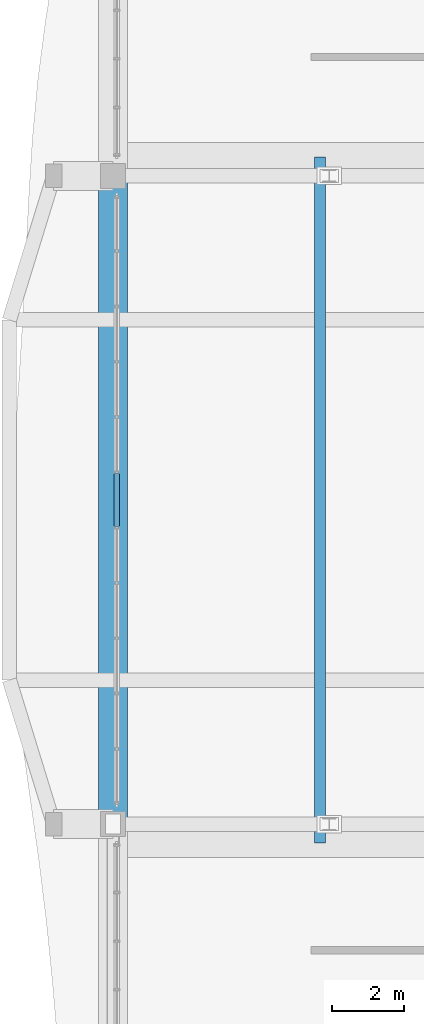
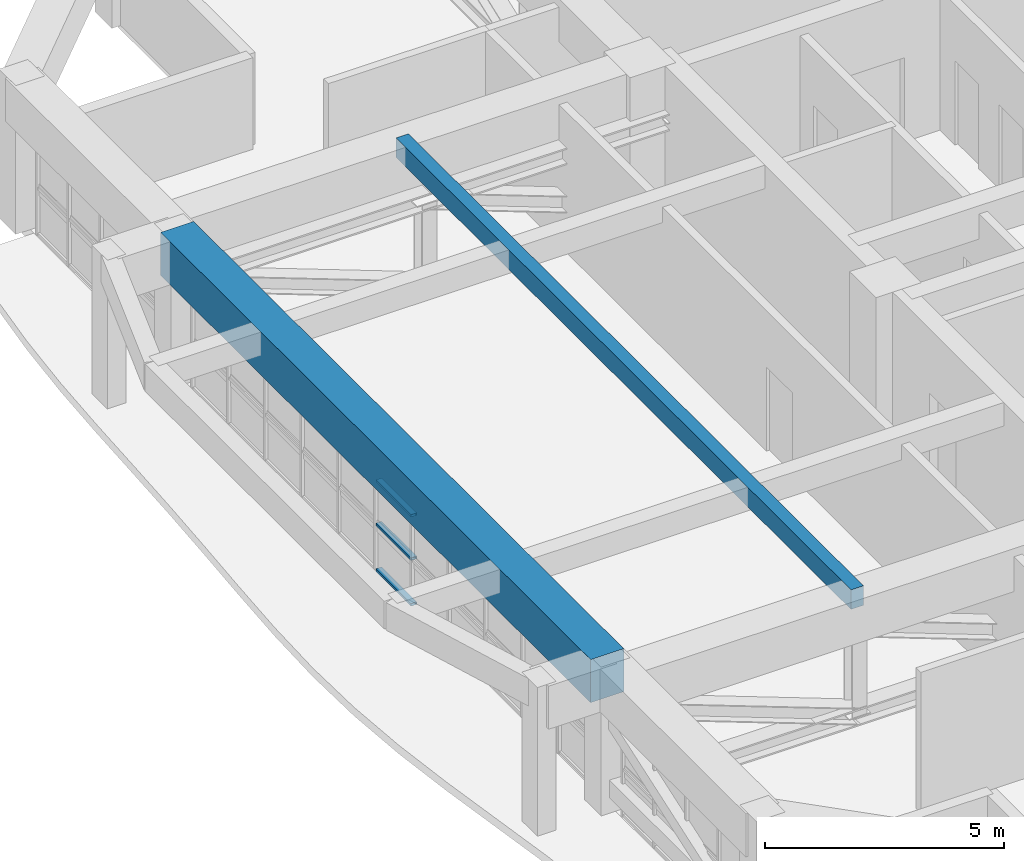
# One storey, part 6 of 25: 3 members, 2 beams, 1 element without a shape of its own.
"""IFC4 building model written with IfcOpenShell, lengths in metres."""

from ifc_helpers import new_model, si_unit, direction, frame, origin, origin_2d, place, context, subcontext, project, spatial, rectangle, hollow_rectangle, extrude, source, transform, mapped, material, layer, layer_set, material_profile, profile_set, type_object, element, aggregate, save


model = new_model("IFC4")

# Units and contexts
model_context = context("Model", 3, precision=1e-05, world=origin(), true_north=direction((0.0, 1.0)))
body_context = subcontext(model_context, "Body", "Model", "MODEL_VIEW")
ifc_project = project(units=[si_unit("LENGTHUNIT", "METRE"), si_unit("AREAUNIT", "SQUARE_METRE"), si_unit("VOLUMEUNIT", "CUBIC_METRE"), si_unit("PLANEANGLEUNIT", "RADIAN"), si_unit("MASSUNIT", "GRAM", prefix="KILO")], contexts=[model_context])

# Site, building, storey
site_placement = place(None, origin())
site = spatial("IfcSite", under=ifc_project, at=site_placement, CompositionType="ELEMENT")
building_placement = place(site_placement, origin())
building = spatial("IfcBuilding", under=site, at=building_placement, Name="Saelheon Loggia Tower", CompositionType="ELEMENT")
storey_placement = place(building_placement, frame((0.0, 0.0, 206.5)))
storey = spatial("IfcBuildingStorey", under=building, at=storey_placement, Name="L64", CompositionType="ELEMENT", Elevation=206.5)

# Beams
ifc_material_1 = material(Name="Concrete C40/50", Category="concrete")
ifc_material_profile_1 = material_profile(ifc_material_1, rectangle(XDim=0.300048828125, YDim=0.5, at=origin_2d()), Name="RC-300x500")
ifc_profile_set_1 = profile_set([ifc_material_profile_1], Name="Concrete C40/50")
beam_type_1 = type_object("IfcBeamType", Name="Beam_Joist_RC300x500", PredefinedType="JOIST", material=ifc_profile_set_1)
shared_shape_1 = source(origin(), body_context, "Body", "SweptSolid", [
    extrude(rectangle(XDim=0.300048828125, YDim=0.5, at=origin_2d()), origin(), (0.0, 0.0, 1.0), 19.0400390625),
])
beam_1_placement = place(storey_placement, frame((25.239990234375, 17.47998046875, 3.550048828125), z_axis=(0.0, 1.0, 0.0), x_axis=(-1.0, 0.0, 0.0)))
element("IfcBeam", 1, at=beam_1_placement, inside=storey, type_object=beam_type_1, Name="L64 West Floor Joist", PredefinedType="JOIST", context=body_context, shape_type="MappedRepresentation", body=[
    mapped(shared_shape_1, transform((0.0, 0.0, 0.0), scale=1.0)),
])
ifc_material_2 = material(Name="Concrete C50/60", Category="concrete")
ifc_material_profile_2 = material_profile(ifc_material_2, rectangle(XDim=0.800048828125, YDim=1.10009765625, at=origin_2d()), Name="RC-800x1100")
ifc_profile_set_2 = profile_set([ifc_material_profile_2], Name="Concrete C50/60")
beam_type_2 = type_object("IfcBeamType", Name="Beam_PerimSetback_RC800x1100", PredefinedType="BEAM", material=ifc_profile_set_2)
shared_shape_2 = source(origin(), body_context, "Body", "SweptSolid", [
    extrude(rectangle(XDim=0.800048828125, YDim=1.10009765625, at=origin_2d()), origin(), (0.0, 0.0, 1.0), 18.0),
])
beam_2_placement = place(storey_placement, frame((19.5, 36.0, 3.25), z_axis=(0.0, -1.0, 0.0), x_axis=(1.0, 0.0, 0.0)))
element("IfcBeam", 2, at=beam_2_placement, inside=storey, type_object=beam_type_2, Name="L64 Perimeter Frame Girder 14", PredefinedType="BEAM", context=body_context, shape_type="MappedRepresentation", body=[
    mapped(shared_shape_2, transform((0.0, 0.0, 0.0), scale=1.0)),
])

# Curtain wall, members
ifc_material_3 = material(Name="Anodised Aluminium Acoustic Louvre Curtain Wall", Category="aluminium")
ifc_layer = layer(ifc_material_3, 0.179931640625)
ifc_layer_set = layer_set([ifc_layer], Name="Anodised Aluminium Acoustic Louvre Curtain Wall")
curtain_wall_type = type_object("IfcCurtainWallType", Name="CW_RefugeAcoustic", PredefinedType="NOTDEFINED", material=ifc_layer_set)
curtain_wall_placement = place(storey_placement, origin())
curtain_wall = element("IfcCurtainWall", 3, at=curtain_wall_placement, inside=storey, type_object=curtain_wall_type, Name="L64 W Refuge Acoustic Curtain Wall 2", PredefinedType="NOTDEFINED")
ifc_material_4 = material(Name="Anodised Aluminium 6063-T6", Category="aluminium")
ifc_material_profile_3 = material_profile(ifc_material_4, hollow_rectangle(XDim=0.06494140625, YDim=0.139892578125, WallThickness=0.00390625, at=origin_2d()), Name="RHS-140x65x4")
ifc_profile_set_3 = profile_set([ifc_material_profile_3], Name="Anodised Aluminium 6063-T6")
member_type = type_object("IfcMemberType", Name="CW_RefugeAcoustic_Transom", PredefinedType="USERDEFINED", material=ifc_profile_set_3)
shared_shape_3 = source(origin(), body_context, "Body", "SweptSolid", [
    extrude(hollow_rectangle(XDim=0.06494140625, YDim=0.139892578125, WallThickness=0.00390625, at=origin_2d()), origin(), (0.0, 0.0, 1.0), 1.47119140625),
])
member_1_placement = place(storey_placement, frame((19.60009765625, 26.264404296875, 0.032470703125), z_axis=(0.0, 1.0, 0.0), x_axis=(0.0, 0.0, 1.0)))
member_1 = element("IfcMember", 4, at=member_1_placement, type_object=member_type, Name="CW5 transom 6.1", ObjectType="TRANSOM", PredefinedType="USERDEFINED", context=body_context, shape_type="MappedRepresentation", body=[
    mapped(shared_shape_3, transform((0.0, 0.0, 0.0), scale=1.0)),
])
member_2_placement = place(storey_placement, frame((19.60009765625, 26.264404296875, 1.199951171875), z_axis=(0.0, 1.0, 0.0), x_axis=(0.0, 0.0, 1.0)))
member_2 = element("IfcMember", 5, at=member_2_placement, type_object=member_type, Name="CW5 transom 6.2", ObjectType="TRANSOM", PredefinedType="USERDEFINED", context=body_context, shape_type="MappedRepresentation", body=[
    mapped(shared_shape_3, transform((0.0, 0.0, 0.0), scale=1.0)),
])
member_3_placement = place(storey_placement, frame((19.60009765625, 26.264404296875, 2.3076171875), z_axis=(0.0, 1.0, 0.0), x_axis=(0.0, 0.0, 1.0)))
member_3 = element("IfcMember", 6, at=member_3_placement, type_object=member_type, Name="CW5 transom 6.3", ObjectType="TRANSOM", PredefinedType="USERDEFINED", context=body_context, shape_type="MappedRepresentation", body=[
    mapped(shared_shape_3, transform((0.0, 0.0, 0.0), scale=1.0)),
])
aggregate(curtain_wall, [member_1, member_2, member_3])

save(model, "model.ifc")
